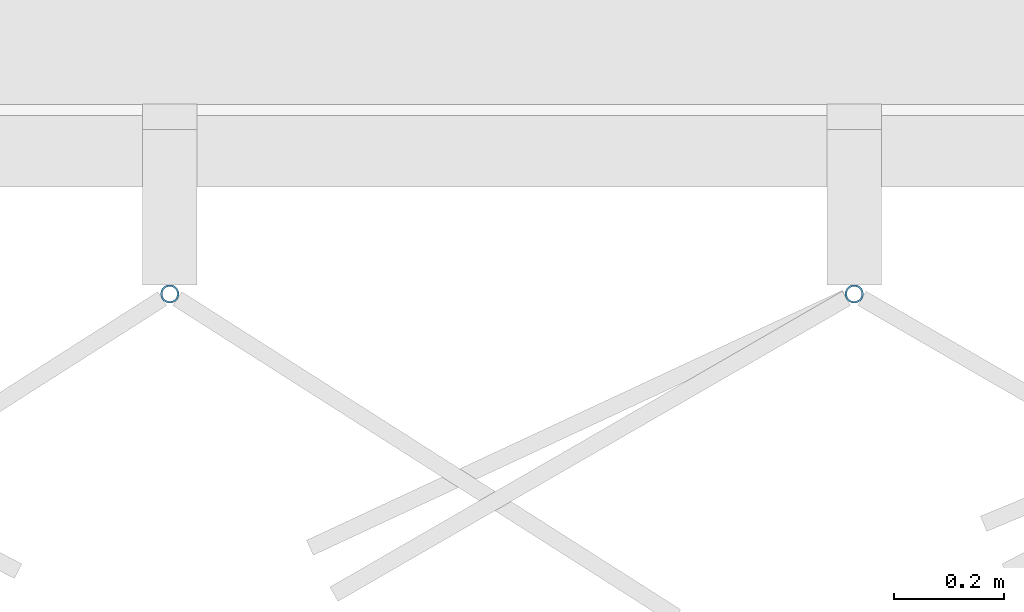
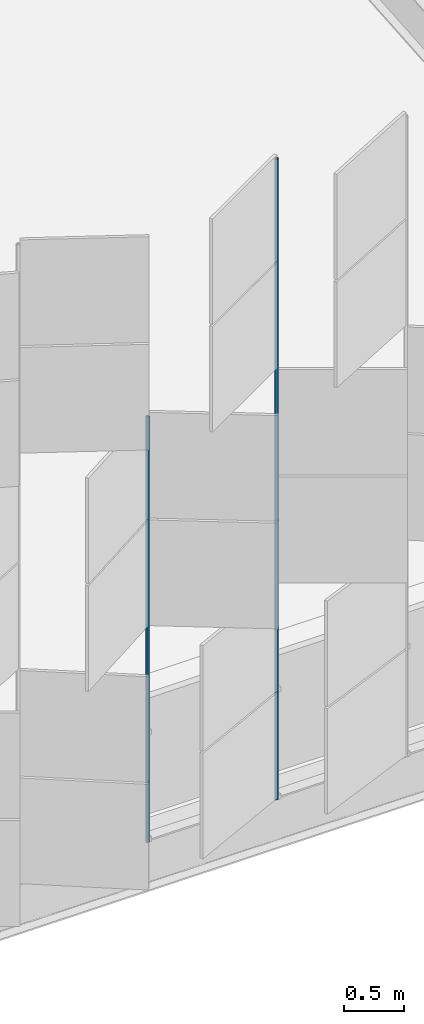
# One storey, part 218 of 483: 2 discrete accessories.
"""IFC4 building model written with IfcOpenShell, lengths in metres."""

from ifc_helpers import new_model, si_unit, direction, frame, origin, origin_2d, place, context, subcontext, project, spatial, hollow_circle, extrude, material, material_profile, profile_set, type_object, element, save


model = new_model("IFC4")

# Units and contexts
model_context = context("Model", 3, precision=1e-05, world=origin(), true_north=direction((0.0, 1.0)))
body_context = subcontext(model_context, "Body", "Model", "MODEL_VIEW")
ifc_project = project(units=[si_unit("LENGTHUNIT", "METRE"), si_unit("AREAUNIT", "SQUARE_METRE"), si_unit("VOLUMEUNIT", "CUBIC_METRE"), si_unit("PLANEANGLEUNIT", "RADIAN"), si_unit("MASSUNIT", "GRAM", prefix="KILO")], contexts=[model_context])

# Site, building, storey
site_placement = place(None, origin())
site = spatial("IfcSite", under=ifc_project, at=site_placement, CompositionType="ELEMENT")
building_placement = place(site_placement, origin())
building = spatial("IfcBuilding", under=site, at=building_placement, Name="Parallax Yard Mobility Hub", CompositionType="ELEMENT")
storey_placement = place(building_placement, frame((0.0, 0.0, 13.199951171875)))
storey = spatial("IfcBuildingStorey", under=building, at=storey_placement, Name="L04", CompositionType="ELEMENT", Elevation=13.199951171875)

# Discrete accessories
ifc_material = material(Name="Steel ASTM A500 Gr C, hot-dip galvanised", Category="steel")
ifc_material_profile = material_profile(ifc_material, hollow_circle(Radius=0.016845703125, WallThickness=0.003173828125, at=origin_2d()), Name="CHS 33.7x3.2")
ifc_profile_set = profile_set([ifc_material_profile], Name="Steel ASTM A500 Gr C, hot-dip galvanised")
discrete_accessory_type = type_object("IfcDiscreteAccessoryType", Name="Hinge post CHS 33.7x3.2", PredefinedType="BRACKET", material=ifc_profile_set)
discrete_accessory_1_placement = place(storey_placement, frame((144.99658203125, 112.199951171875, 0.0), z_axis=(0.0, 0.0, 1.0), x_axis=(1.0, 0.0, 0.0)))
element("IfcDiscreteAccessory", 1, at=discrete_accessory_1_placement, inside=storey, type_object=discrete_accessory_type, Name="Hinge post bay 14.3 level L04", PredefinedType="BRACKET", context=body_context, shape_type="SweptSolid", body=[
    extrude(hollow_circle(Radius=0.016845703125, WallThickness=0.003173828125, at=origin_2d()), origin(), (0.0, 0.0, 1.0), 4.35009765625),
])
discrete_accessory_2_placement = place(storey_placement, frame((146.245849609375, 112.199951171875, 0.0), z_axis=(0.0, 0.0, 1.0), x_axis=(1.0, 0.0, 0.0)))
element("IfcDiscreteAccessory", 2, at=discrete_accessory_2_placement, inside=storey, type_object=discrete_accessory_type, Name="Hinge post bay 14.4 level L04", PredefinedType="BRACKET", context=body_context, shape_type="SweptSolid", body=[
    extrude(hollow_circle(Radius=0.016845703125, WallThickness=0.003173828125, at=origin_2d()), origin(), (0.0, 0.0, 1.0), 6.550048828125),
])

save(model, "model.ifc")
